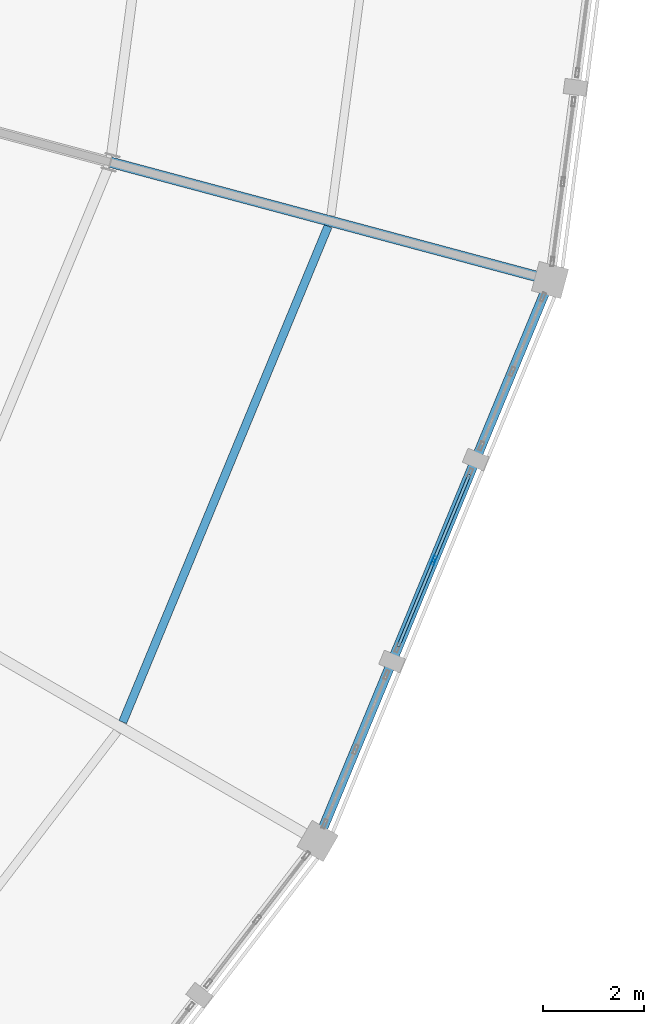
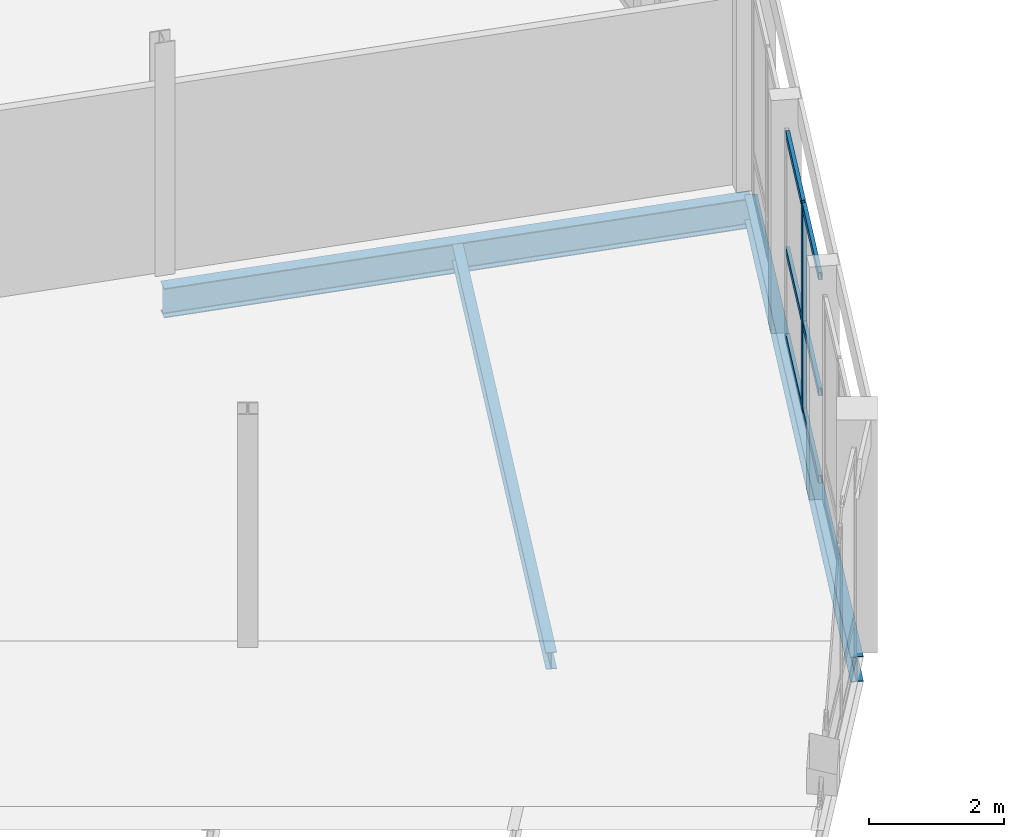
# One storey, part 99 of 170: 7 members, 3 beams, 1 element without a shape of its own.
"""IFC4 building model written with IfcOpenShell, lengths in metres."""

from ifc_helpers import new_model, si_unit, direction, frame, origin, origin_2d, place, context, subcontext, project, spatial, hollow_rectangle, i_section, extrude, material, material_profile, profile_set, type_object, element, aggregate, save


model = new_model("IFC4")

# Units and contexts
model_context = context("Model", 3, precision=1e-05, world=origin(), true_north=direction((0.0, 1.0)))
body_context = subcontext(model_context, "Body", "Model", "MODEL_VIEW")
ifc_project = project(units=[si_unit("LENGTHUNIT", "METRE"), si_unit("AREAUNIT", "SQUARE_METRE"), si_unit("VOLUMEUNIT", "CUBIC_METRE"), si_unit("PLANEANGLEUNIT", "RADIAN"), si_unit("MASSUNIT", "GRAM", prefix="KILO")], contexts=[model_context])

# Site, building, storey
site_placement = place(None, origin())
site = spatial("IfcSite", under=ifc_project, at=site_placement, CompositionType="ELEMENT")
building_placement = place(site_placement, origin())
building = spatial("IfcBuilding", under=site, at=building_placement, Name="Vondelvale Polytechnic", CompositionType="ELEMENT")
storey_placement = place(building_placement, frame((0.0, 0.0, 5.39990234375)))
storey = spatial("IfcBuildingStorey", under=building, at=storey_placement, Name="L01", CompositionType="ELEMENT", Elevation=5.39990234375)

# Beams
ifc_material_1 = material(Name="Steel 300PLUS (fy = 300 MPa)", Category="steel")
ifc_material_profile_1 = material_profile(ifc_material_1, i_section(OverallWidth=0.18994140625, OverallDepth=0.45703125, WebThickness=0.009033203125, FlangeThickness=0.014404296875, FilletRadius=0.011474609375, at=origin_2d()), Name="460UB74.6")
ifc_profile_set_1 = profile_set([ifc_material_profile_1], Name="Steel 300PLUS (fy = 300 MPa)")
beam_type_1 = type_object("IfcBeamType", Name="BM-UB460", PredefinedType="BEAM", material=ifc_profile_set_1)
beam_1_placement = place(storey_placement, frame((141.837158203125, 49.0, -0.50830078125), z_axis=(0.382688765072, 0.923877323614, 0.0), x_axis=(-0.923877323614, 0.382688765072, 0.0)))
element("IfcBeam", 1, at=beam_1_placement, inside=storey, type_object=beam_type_1, Name="L01 RB B-13", PredefinedType="BEAM", context=body_context, shape_type="SweptSolid", body=[
    extrude(i_section(OverallWidth=0.18994140625, OverallDepth=0.45703125, WebThickness=0.009033203125, FlangeThickness=0.014404296875, FilletRadius=0.011474609375, at=origin_2d()), origin(), (0.0, 0.0, 1.0), 12.00830078125),
])
ifc_material_profile_2 = material_profile(ifc_material_1, i_section(OverallWidth=0.208984375, OverallDepth=0.532958984375, WebThickness=0.01025390625, FlangeThickness=0.015625, FilletRadius=0.013916015625, at=origin_2d()), Name="530UB92.4")
ifc_profile_set_2 = profile_set([ifc_material_profile_2], Name="Steel 300PLUS (fy = 300 MPa)")
beam_type_2 = type_object("IfcBeamType", Name="BM-UB530", PredefinedType="BEAM", material=ifc_profile_set_2)
beam_2_placement = place(storey_placement, frame((137.7392578125, 62.423583984375, -0.54638671875), z_axis=(0.965926740751, -0.25881563226, 0.0), x_axis=(0.25881563226, 0.965926740751, 0.0)))
element("IfcBeam", 2, at=beam_2_placement, inside=storey, type_object=beam_type_2, Name="L01 RG B-11", PredefinedType="BEAM", context=body_context, shape_type="SweptSolid", body=[
    extrude(i_section(OverallWidth=0.208984375, OverallDepth=0.532958984375, WebThickness=0.01025390625, FlangeThickness=0.015625, FilletRadius=0.013916015625, at=origin_2d()), origin(), (0.0, 0.0, 1.0), 9.0),
])

# Curtain wall, members
ifc_material_2 = material(Name="Glulam GL18 structural Tasmanian oak (fb = 42 MPa)", Category="wood")
curtain_wall_type = type_object("IfcCurtainWallType", Name="CW-RING-OUTER", PredefinedType="NOTDEFINED", material=ifc_material_2)
curtain_wall_placement = place(storey_placement, origin())
curtain_wall = element("IfcCurtainWall", 3, at=curtain_wall_placement, inside=storey, type_object=curtain_wall_type, Name="L01 architectural curtain wall CW-04-364", PredefinedType="NOTDEFINED")
ifc_material_3 = material(Name="Anodised extruded aluminium 6063-T6", Category="aluminium")
ifc_material_profile_3 = material_profile(ifc_material_3, hollow_rectangle(XDim=0.06494140625, YDim=0.179931640625, WallThickness=0.00390625, at=origin_2d()), Name="CW-MUL-180x65")
ifc_profile_set_3 = profile_set([ifc_material_profile_3], Name="Anodised extruded aluminium 6063-T6")
member_type_1 = type_object("IfcMemberType", Name="CW-MUL-65x180", PredefinedType="MULLION", material=ifc_profile_set_3)
member_1_placement = place(storey_placement, frame((144.135009765625, 54.547119140625, 0.0), z_axis=(0.0, 0.0, 1.0), x_axis=(-0.92387490701, 0.382694599123, 0.0)))
member_1 = element("IfcMember", 4, at=member_1_placement, type_object=member_type_1, Name="CW-04-364 mullion 2", PredefinedType="MULLION", context=body_context, shape_type="SweptSolid", body=[
    extrude(hollow_rectangle(XDim=0.06494140625, YDim=0.179931640625, WallThickness=0.00390625, at=origin_2d()), origin(), (0.0, 0.0, 1.0), 3.72021484375),
])
ifc_material_profile_4 = material_profile(ifc_material_3, hollow_rectangle(XDim=0.06005859375, YDim=0.139892578125, WallThickness=0.00341796875, at=origin_2d()), Name="CW-TRN-140x60")
ifc_profile_set_4 = profile_set([ifc_material_profile_4], Name="Anodised extruded aluminium 6063-T6")
member_type_2 = type_object("IfcMemberType", Name="CW-TRN-60x140", PredefinedType="USERDEFINED", material=ifc_profile_set_4)
member_2_placement = place(storey_placement, frame((143.43017578125, 52.845947265625, 0.030029296875), z_axis=(0.382765012338, 0.92384573676, 0.0), x_axis=(-0.92384573676, 0.382765012338, 0.0)))
member_2 = element("IfcMember", 5, at=member_2_placement, type_object=member_type_2, Name="CW-04-364 transom 1.1", ObjectType="TRANSOM", PredefinedType="USERDEFINED", context=body_context, shape_type="SweptSolid", body=[
    extrude(hollow_rectangle(XDim=0.06005859375, YDim=0.139892578125, WallThickness=0.00341796875, at=origin_2d()), origin(), (0.0, 0.0, 1.0), 1.808837890625),
])
member_3_placement = place(storey_placement, frame((143.43017578125, 52.845947265625, 1.60009765625), z_axis=(0.382765012338, 0.92384573676, 0.0), x_axis=(-0.92384573676, 0.382765012338, 0.0)))
member_3 = element("IfcMember", 6, at=member_3_placement, type_object=member_type_2, Name="CW-04-364 transom 1.2", ObjectType="TRANSOM", PredefinedType="USERDEFINED", context=body_context, shape_type="SweptSolid", body=[
    extrude(hollow_rectangle(XDim=0.06005859375, YDim=0.139892578125, WallThickness=0.00341796875, at=origin_2d()), origin(), (0.0, 0.0, 1.0), 1.808837890625),
])
member_4_placement = place(storey_placement, frame((143.43017578125, 52.845947265625, 3.690185546875), z_axis=(0.382765012338, 0.92384573676, 0.0), x_axis=(-0.92384573676, 0.382765012338, 0.0)))
member_4 = element("IfcMember", 7, at=member_4_placement, type_object=member_type_2, Name="CW-04-364 transom 1.3", ObjectType="TRANSOM", PredefinedType="USERDEFINED", context=body_context, shape_type="SweptSolid", body=[
    extrude(hollow_rectangle(XDim=0.06005859375, YDim=0.139892578125, WallThickness=0.00341796875, at=origin_2d()), origin(), (0.0, 0.0, 1.0), 1.808837890625),
])
member_5_placement = place(storey_placement, frame((144.147216796875, 54.5771484375, 0.030029296875), z_axis=(0.382717291485, 0.923865506878, 0.0), x_axis=(-0.923865506878, 0.382717291485, 0.0)))
member_5 = element("IfcMember", 8, at=member_5_placement, type_object=member_type_2, Name="CW-04-364 transom 2.1", ObjectType="TRANSOM", PredefinedType="USERDEFINED", context=body_context, shape_type="SweptSolid", body=[
    extrude(hollow_rectangle(XDim=0.06005859375, YDim=0.139892578125, WallThickness=0.00341796875, at=origin_2d()), origin(), (0.0, 0.0, 1.0), 1.80908203125),
])
member_6_placement = place(storey_placement, frame((144.147216796875, 54.5771484375, 1.60009765625), z_axis=(0.382717291485, 0.923865506878, 0.0), x_axis=(-0.923865506878, 0.382717291485, 0.0)))
member_6 = element("IfcMember", 9, at=member_6_placement, type_object=member_type_2, Name="CW-04-364 transom 2.2", ObjectType="TRANSOM", PredefinedType="USERDEFINED", context=body_context, shape_type="SweptSolid", body=[
    extrude(hollow_rectangle(XDim=0.06005859375, YDim=0.139892578125, WallThickness=0.00341796875, at=origin_2d()), origin(), (0.0, 0.0, 1.0), 1.80908203125),
])
member_7_placement = place(storey_placement, frame((144.147216796875, 54.5771484375, 3.690185546875), z_axis=(0.382717291485, 0.923865506878, 0.0), x_axis=(-0.923865506878, 0.382717291485, 0.0)))
member_7 = element("IfcMember", 10, at=member_7_placement, type_object=member_type_2, Name="CW-04-364 transom 2.3", ObjectType="TRANSOM", PredefinedType="USERDEFINED", context=body_context, shape_type="SweptSolid", body=[
    extrude(hollow_rectangle(XDim=0.06005859375, YDim=0.139892578125, WallThickness=0.00341796875, at=origin_2d()), origin(), (0.0, 0.0, 1.0), 1.80908203125),
])
aggregate(curtain_wall, [member_1, member_2, member_3, member_4, member_5, member_6, member_7])

# Beam
ifc_material_profile_5 = material_profile(ifc_material_1, i_section(OverallWidth=0.1650390625, OverallDepth=0.303955078125, WebThickness=0.006103515625, FlangeThickness=0.01025390625, FilletRadius=0.011474609375, at=origin_2d()), Name="310UB40.4")
ifc_profile_set_5 = profile_set([ifc_material_profile_5], Name="Steel 300PLUS (fy = 300 MPa)")
beam_type_3 = type_object("IfcBeamType", Name="JST-UB310", PredefinedType="JOIST", material=ifc_profile_set_5)
beam_3_placement = place(storey_placement, frame((137.982177734375, 51.3515625, -0.431884765625), z_axis=(0.382666002839, 0.923886751865, 0.0), x_axis=(-0.923886751865, 0.382666002839, 0.0)))
element("IfcBeam", 11, at=beam_3_placement, inside=storey, type_object=beam_type_3, Name="L01 RJ J-05", PredefinedType="JOIST", context=body_context, shape_type="SweptSolid", body=[
    extrude(i_section(OverallWidth=0.1650390625, OverallDepth=0.303955078125, WebThickness=0.006103515625, FlangeThickness=0.01025390625, FilletRadius=0.011474609375, at=origin_2d()), origin(), (0.0, 0.0, 1.0), 10.61376953125),
])

save(model, "model.ifc")
